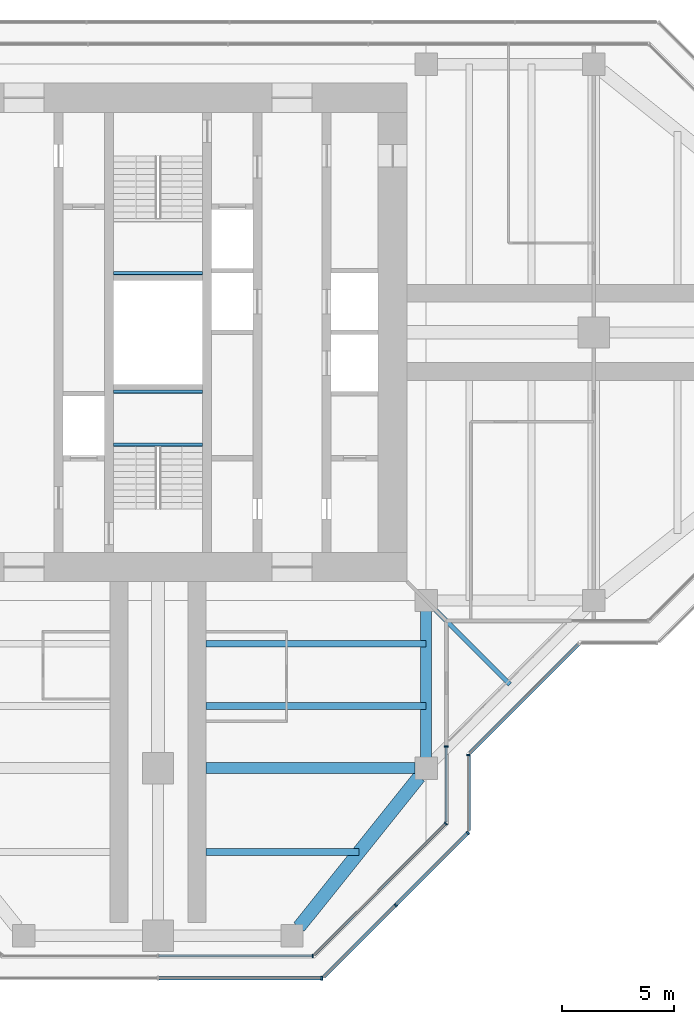
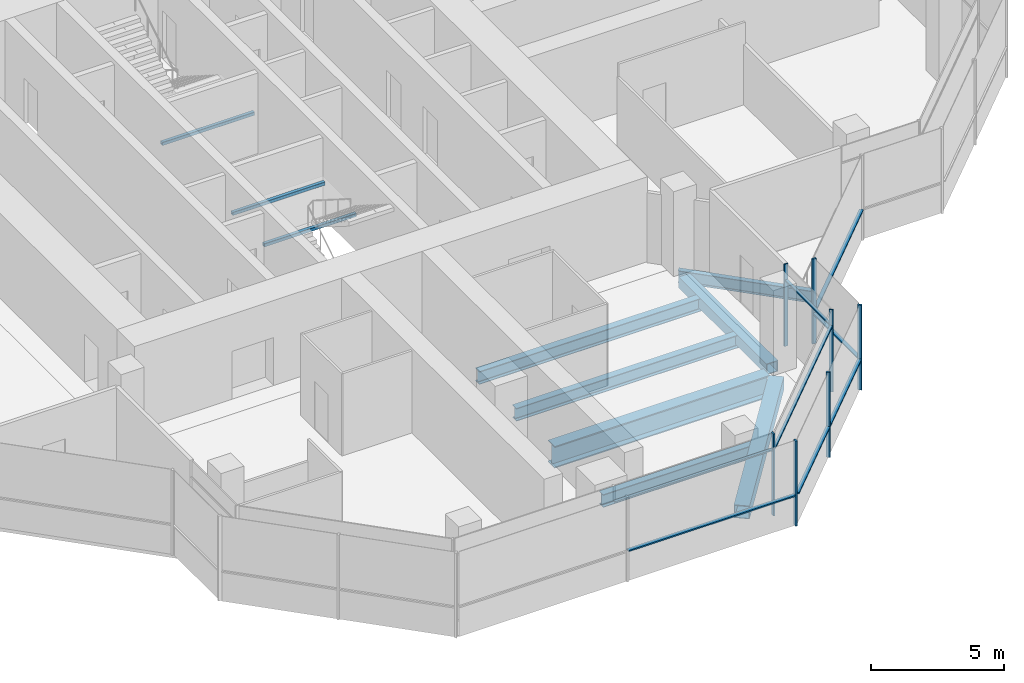
# One storey, part 4 of 15: 15 members, 10 beams, 7 elements without a shape of their own.
"""IFC4 building model written with IfcOpenShell, lengths in metres."""

from ifc_helpers import new_model, si_unit, direction, frame, origin, origin_2d, place, context, subcontext, project, spatial, rectangle, hollow_rectangle, i_section, extrude, material, material_profile, profile_set, type_object, element, aggregate, save


model = new_model("IFC4")

# Units and contexts
model_context = context("Model", 3, precision=1e-05, world=origin(), true_north=direction((0.0, 1.0)))
body_context = subcontext(model_context, "Body", "Model", "MODEL_VIEW")
ifc_project = project(units=[si_unit("LENGTHUNIT", "METRE"), si_unit("AREAUNIT", "SQUARE_METRE"), si_unit("VOLUMEUNIT", "CUBIC_METRE"), si_unit("PLANEANGLEUNIT", "RADIAN"), si_unit("MASSUNIT", "GRAM", prefix="KILO")], contexts=[model_context])

# Site, building, storey
site_placement = place(None, origin())
site = spatial("IfcSite", under=ifc_project, at=site_placement, CompositionType="ELEMENT")
building_placement = place(site_placement, origin())
building = spatial("IfcBuilding", under=site, at=building_placement, Name="Mizan Broadcast Tower", CompositionType="ELEMENT")
storey_placement = place(building_placement, frame((0.0, 0.0, 271.199951171875)))
storey = spatial("IfcBuildingStorey", under=building, at=storey_placement, Name="L64", CompositionType="ELEMENT", Elevation=271.199951171875)

# Beams
ifc_material_1 = material(Name="Steel S355", Category="steel")
ifc_material_profile_1 = material_profile(ifc_material_1, hollow_rectangle(XDim=0.5, YDim=0.5, WallThickness=0.030029296875, at=origin_2d()), Name="BOX 500x500x30")
ifc_profile_set_1 = profile_set([ifc_material_profile_1], Name="Steel S355")
beam_type_1 = type_object("IfcBeamType", Name="EDGE BEAM BOX 500x500x30", PredefinedType="SPANDREL", material=ifc_profile_set_1)
beam_1_placement = place(storey_placement, frame((12.0, -12.449951171875, -0.3798828125), z_axis=(0.0, -1.0, 0.0), x_axis=(1.0, 0.0, 0.0)))
element("IfcBeam", 1, at=beam_1_placement, inside=storey, type_object=beam_type_1, Name="Edge beam BOX 500x500x30 L64 south arm", PredefinedType="SPANDREL", context=body_context, shape_type="SweptSolid", body=[
    extrude(hollow_rectangle(XDim=0.5, YDim=0.5, WallThickness=0.030029296875, at=origin_2d()), origin(), (0.0, 0.0, 1.0), 6.60009765625),
])
ifc_material_2 = material(Name="Steel S355", Category="steel")
ifc_material_profile_2 = material_profile(ifc_material_2, hollow_rectangle(XDim=0.60009765625, YDim=0.60009765625, WallThickness=0.030029296875, at=origin_2d()), Name="BOX 600x600x30")
ifc_profile_set_2 = profile_set([ifc_material_profile_2], Name="Steel S355")
beam_type_2 = type_object("IfcBeamType", Name="EDGE BEAM BOX 600x600x30", PredefinedType="SPANDREL", material=ifc_profile_set_2)
beam_2_placement = place(storey_placement, frame((11.687744140625, -19.890380859375, -0.429931640625), z_axis=(-0.62470196761, -0.780863273348, 0.0), x_axis=(0.780863273348, -0.62470196761, 0.0)))
element("IfcBeam", 2, at=beam_2_placement, inside=storey, type_object=beam_type_2, Name="Edge beam BOX 600x600x30 L64 south arm", PredefinedType="SPANDREL", context=body_context, shape_type="SweptSolid", body=[
    extrude(hollow_rectangle(XDim=0.60009765625, YDim=0.60009765625, WallThickness=0.030029296875, at=origin_2d()), origin(), (0.0, 0.0, 1.0), 8.60498046875),
])
ifc_material_3 = material(Name="Steel S460", Category="steel")
ifc_material_profile_3 = material_profile(ifc_material_3, i_section(OverallWidth=0.5, OverallDepth=1.0, WebThickness=0.02490234375, FlangeThickness=0.050048828125, at=origin_2d()), Name="WPG 1000x500")
ifc_profile_set_3 = profile_set([ifc_material_profile_3], Name="Steel S460")
beam_type_3 = type_object("IfcBeamType", Name="GIRDER WPG 1000x500", PredefinedType="BEAM", material=ifc_profile_set_3)
beam_3_placement = place(storey_placement, frame((11.5, -19.5, -0.6298828125), z_axis=(-1.0, 0.0, 0.0), x_axis=(0.0, -1.0, 0.0)))
element("IfcBeam", 3, at=beam_3_placement, inside=storey, type_object=beam_type_3, Name="Girder WPG 1000x500 L64 south arm", PredefinedType="BEAM", context=body_context, shape_type="SweptSolid", body=[
    extrude(i_section(OverallWidth=0.5, OverallDepth=1.0, WebThickness=0.02490234375, FlangeThickness=0.050048828125, at=origin_2d()), origin(), (0.0, 0.0, 1.0), 9.35009765625),
])

# Curtain wall, member
ifc_material_4 = material(Name="Aluminium framed glazing", Category="aluminium")
curtain_wall_type_1 = type_object("IfcCurtainWallType", Name="INNER SKIN TOP ZONE", PredefinedType="USERDEFINED", material=ifc_material_4)
curtain_wall_1_placement = place(storey_placement, origin())
curtain_wall_1 = element("IfcCurtainWall", 4, at=curtain_wall_1_placement, inside=storey, type_object=curtain_wall_type_1, Name="Inner skin top zone L64 S end", ObjectType="INNER SKIN TOP ZONE", PredefinedType="USERDEFINED")
ifc_material_5 = material(Name="Aluminium, pale anodised", Category="aluminium")
ifc_material_profile_4 = material_profile(ifc_material_5, rectangle(XDim=0.159912109375, YDim=0.06005859375, at=origin_2d()), Name="MULLION 160x60")
ifc_profile_set_4 = profile_set([ifc_material_profile_4], Name="Aluminium, pale anodised")
member_type_1 = type_object("IfcMemberType", Name="INNER SKIN MULLION 60x160", PredefinedType="MULLION", material=ifc_profile_set_4)
member_1_placement = place(storey_placement, frame((6.928466796875, -27.89990234375, 0.0), z_axis=(0.0, 0.0, 1.0), x_axis=(0.0, 1.0, 0.0)))
member_1 = element("IfcMember", 5, at=member_1_placement, type_object=member_type_1, Name="Inner skin top zone L64 S end mullion 3", PredefinedType="MULLION", context=body_context, shape_type="SweptSolid", body=[
    extrude(rectangle(XDim=0.159912109375, YDim=0.06005859375, at=origin_2d()), origin(), (0.0, 0.0, 1.0), 3.77001953125),
])

curtain_wall_2_placement = place(storey_placement, origin())
curtain_wall_2 = element("IfcCurtainWall", 6, at=curtain_wall_2_placement, inside=storey, type_object=curtain_wall_type_1, Name="Inner skin top zone L64 S chamfer", ObjectType="INNER SKIN TOP ZONE", PredefinedType="USERDEFINED")
member_2_placement = place(storey_placement, frame((12.87890625, -21.979736328125, 0.0), z_axis=(0.0, 0.0, 1.0), x_axis=(-0.707106781187, 0.707106781187, 0.0)))
member_2 = element("IfcMember", 7, at=member_2_placement, type_object=member_type_1, Name="Inner skin top zone L64 S chamfer mullion 2", PredefinedType="MULLION", context=body_context, shape_type="SweptSolid", body=[
    extrude(rectangle(XDim=0.159912109375, YDim=0.06005859375, at=origin_2d()), origin(), (0.0, 0.0, 1.0), 3.77001953125),
])

curtain_wall_3_placement = place(storey_placement, origin())
curtain_wall_3 = element("IfcCurtainWall", 8, at=curtain_wall_3_placement, inside=storey, type_object=curtain_wall_type_1, Name="Inner skin top zone L64 S side", ObjectType="INNER SKIN TOP ZONE", PredefinedType="USERDEFINED")
member_3_placement = place(storey_placement, frame((12.89990234375, -18.530029296875, 0.0), z_axis=(0.0, 0.0, 1.0), x_axis=(-1.0, 0.0, 0.0)))
member_3 = element("IfcMember", 9, at=member_3_placement, type_object=member_type_1, Name="Inner skin top zone L64 S side mullion 2", PredefinedType="MULLION", context=body_context, shape_type="SweptSolid", body=[
    extrude(rectangle(XDim=0.159912109375, YDim=0.06005859375, at=origin_2d()), origin(), (0.0, 0.0, 1.0), 3.77001953125),
])

# Member
ifc_material_6 = material(Name="Aluminium, pale anodised", Category="aluminium")
ifc_material_profile_5 = material_profile(ifc_material_6, rectangle(XDim=0.1201171875, YDim=0.06005859375, at=origin_2d()), Name="TRANSOM 120x60")
ifc_profile_set_5 = profile_set([ifc_material_profile_5], Name="Aluminium, pale anodised")
member_type_2 = type_object("IfcMemberType", Name="INNER SKIN TRANSOM 60x120", PredefinedType="USERDEFINED", material=ifc_profile_set_5)
member_4_placement = place(storey_placement, frame((0.030029296875, -27.89990234375, 3.030029296875), z_axis=(1.0, 0.0, 0.0), x_axis=(0.0, 1.0, 0.0)))
member_4 = element("IfcMember", 10, at=member_4_placement, type_object=member_type_2, Name="Inner skin top zone L64 S end transom 2.1", ObjectType="TRANSOM", PredefinedType="USERDEFINED", context=body_context, shape_type="SweptSolid", body=[
    extrude(rectangle(XDim=0.1201171875, YDim=0.06005859375, at=origin_2d()), origin(), (0.0, 0.0, 1.0), 6.86865234375),
])

aggregate(curtain_wall_1, [member_1, member_4])

member_5_placement = place(storey_placement, frame((7.0009765625, -27.857666015625, 3.030029296875), z_axis=(0.707106781187, 0.707106781187, 0.0), x_axis=(-0.707106781187, 0.707106781187, 0.0)))
member_5 = element("IfcMember", 11, at=member_5_placement, type_object=member_type_2, Name="Inner skin top zone L64 S chamfer transom 1.1", ObjectType="TRANSOM", PredefinedType="USERDEFINED", context=body_context, shape_type="SweptSolid", body=[
    extrude(rectangle(XDim=0.1201171875, YDim=0.06005859375, at=origin_2d()), origin(), (0.0, 0.0, 1.0), 8.28271484375),
])

aggregate(curtain_wall_2, [member_2, member_5])

member_6_placement = place(storey_placement, frame((12.89990234375, -21.898681640625, 3.030029296875), z_axis=(0.0, 1.0, 0.0), x_axis=(-1.0, 0.0, 0.0)))
member_6 = element("IfcMember", 12, at=member_6_placement, type_object=member_type_2, Name="Inner skin top zone L64 S side transom 1.1", ObjectType="TRANSOM", PredefinedType="USERDEFINED", context=body_context, shape_type="SweptSolid", body=[
    extrude(rectangle(XDim=0.1201171875, YDim=0.06005859375, at=origin_2d()), origin(), (0.0, 0.0, 1.0), 3.338623046875),
])

aggregate(curtain_wall_3, [member_3, member_6])

# Beams
ifc_material_7 = material(Name="Steel S355", Category="steel")
ifc_material_profile_6 = material_profile(ifc_material_7, hollow_rectangle(XDim=0.14990234375, YDim=0.14990234375, WallThickness=0.008056640625, InnerFilletRadius=0.008056640625, OuterFilletRadius=0.011962890625, at=origin_2d()), Name="SHS 150x150x8")
ifc_profile_set_6 = profile_set([ifc_material_profile_6], Name="Steel S355")
beam_type_4 = type_object("IfcBeamType", Name="LANDING TRIMMER SHS 150x150x8", PredefinedType="BEAM", material=ifc_profile_set_6)
for number, where, z_axis, x_axis, name in (
    (13, (-2.0, -5.02490234375, 1.675048828125), (1.0, 0.0, 0.0), (0.0, 1.0, 0.0), "Stair A landing trimmer L64"),
    (14, (-2.0, -2.64990234375, 1.675048828125), (1.0, 0.0, 0.0), (0.0, 1.0, 0.0), "Stair A landing trimmer L64"),
    (15, (2.0, 2.64990234375, 1.675048828125), (-1.0, 0.0, 0.0), (0.0, -1.0, 0.0), "Stair B landing trimmer L64"),
):
    element("IfcBeam", number, at=place(storey_placement, frame(where, z_axis=z_axis, x_axis=x_axis)), inside=storey, type_object=beam_type_4, Name=name, PredefinedType="BEAM", context=body_context, shape_type="SweptSolid", body=[
        extrude(hollow_rectangle(XDim=0.14990234375, YDim=0.14990234375, WallThickness=0.008056640625, InnerFilletRadius=0.008056640625, OuterFilletRadius=0.011962890625, at=origin_2d()), origin(), (0.0, 0.0, 1.0), 4.0),
    ])

# Curtain wall, member
ifc_material_8 = material(Name="Aluminium framed glazing", Category="aluminium")
curtain_wall_type_2 = type_object("IfcCurtainWallType", Name="OUTER SKIN", PredefinedType="USERDEFINED", material=ifc_material_8)
curtain_wall_4_placement = place(storey_placement, origin())
curtain_wall_4 = element("IfcCurtainWall", 16, at=curtain_wall_4_placement, inside=storey, type_object=curtain_wall_type_2, Name="Outer skin L64 S end", ObjectType="OUTER SKIN", PredefinedType="USERDEFINED")
ifc_material_9 = material(Name="Aluminium, pale anodised", Category="aluminium")
ifc_material_profile_7 = material_profile(ifc_material_9, rectangle(XDim=0.159912109375, YDim=0.080078125, at=origin_2d()), Name="MULLION 160x80")
ifc_profile_set_7 = profile_set([ifc_material_profile_7], Name="Aluminium, pale anodised")
member_type_3 = type_object("IfcMemberType", Name="OUTER SKIN MULLION 80x160", PredefinedType="MULLION", material=ifc_profile_set_7)
member_7_placement = place(storey_placement, frame((7.332763671875, -28.89990234375, 0.0), z_axis=(0.0, 0.0, 1.0), x_axis=(0.0, 1.0, 0.0)))
member_7 = element("IfcMember", 17, at=member_7_placement, type_object=member_type_3, Name="Outer skin L64 S end mullion 3", PredefinedType="MULLION", context=body_context, shape_type="SweptSolid", body=[
    extrude(rectangle(XDim=0.159912109375, YDim=0.080078125, at=origin_2d()), origin(), (0.0, 0.0, 1.0), 3.900146484375),
])

# Curtain wall, members
curtain_wall_5_placement = place(storey_placement, origin())
curtain_wall_5 = element("IfcCurtainWall", 18, at=curtain_wall_5_placement, inside=storey, type_object=curtain_wall_type_2, Name="Outer skin L64 S chamfer", ObjectType="OUTER SKIN", PredefinedType="USERDEFINED")
member_8_placement = place(storey_placement, frame((10.636474609375, -25.636474609375, 0.0), z_axis=(0.0, 0.0, 1.0), x_axis=(-0.707106781187, 0.707106781187, 0.0)))
member_8 = element("IfcMember", 19, at=member_8_placement, type_object=member_type_3, Name="Outer skin L64 S chamfer mullion 2", PredefinedType="MULLION", context=body_context, shape_type="SweptSolid", body=[
    extrude(rectangle(XDim=0.159912109375, YDim=0.080078125, at=origin_2d()), origin(), (0.0, 0.0, 1.0), 3.900146484375),
])
member_9_placement = place(storey_placement, frame((13.871826171875, -22.401123046875, 0.0), z_axis=(0.0, 0.0, 1.0), x_axis=(-0.707106781187, 0.707106781187, 0.0)))
member_9 = element("IfcMember", 20, at=member_9_placement, type_object=member_type_3, Name="Outer skin L64 S chamfer mullion 3", PredefinedType="MULLION", context=body_context, shape_type="SweptSolid", body=[
    extrude(rectangle(XDim=0.159912109375, YDim=0.080078125, at=origin_2d()), origin(), (0.0, 0.0, 1.0), 3.900146484375),
])

# Curtain wall, member
curtain_wall_6_placement = place(storey_placement, origin())
curtain_wall_6 = element("IfcCurtainWall", 21, at=curtain_wall_6_placement, inside=storey, type_object=curtain_wall_type_2, Name="Outer skin L64 S side", ObjectType="OUTER SKIN", PredefinedType="USERDEFINED")
member_10_placement = place(storey_placement, frame((13.89990234375, -18.912841796875, 0.0), z_axis=(0.0, 0.0, 1.0), x_axis=(-1.0, 0.0, 0.0)))
member_10 = element("IfcMember", 22, at=member_10_placement, type_object=member_type_3, Name="Outer skin L64 S side mullion 2", PredefinedType="MULLION", context=body_context, shape_type="SweptSolid", body=[
    extrude(rectangle(XDim=0.159912109375, YDim=0.080078125, at=origin_2d()), origin(), (0.0, 0.0, 1.0), 3.900146484375),
])

# Member
ifc_material_10 = material(Name="Aluminium, pale anodised", Category="aluminium")
ifc_material_profile_8 = material_profile(ifc_material_10, rectangle(XDim=0.159912109375, YDim=0.06005859375, at=origin_2d()), Name="TRANSOM 160x60")
ifc_profile_set_8 = profile_set([ifc_material_profile_8], Name="Aluminium, pale anodised")
member_type_4 = type_object("IfcMemberType", Name="OUTER SKIN TRANSOM 60x160", PredefinedType="USERDEFINED", material=ifc_profile_set_8)
member_11_placement = place(storey_placement, frame((0.0400390625, -28.89990234375, 1.400146484375), z_axis=(1.0, 0.0, 0.0), x_axis=(0.0, 1.0, 0.0)))
member_11 = element("IfcMember", 23, at=member_11_placement, type_object=member_type_4, Name="Outer skin L64 S end transom 2.1", ObjectType="TRANSOM", PredefinedType="USERDEFINED", context=body_context, shape_type="SweptSolid", body=[
    extrude(rectangle(XDim=0.159912109375, YDim=0.06005859375, at=origin_2d()), origin(), (0.0, 0.0, 1.0), 7.252685546875),
])

aggregate(curtain_wall_4, [member_7, member_11])

member_12_placement = place(storey_placement, frame((7.429443359375, -28.843505859375, 1.400146484375), z_axis=(0.707106781187, 0.707106781187, 0.0), x_axis=(-0.707106781187, 0.707106781187, 0.0)))
member_12 = element("IfcMember", 24, at=member_12_placement, type_object=member_type_4, Name="Outer skin L64 S chamfer transom 1.1", ObjectType="TRANSOM", PredefinedType="USERDEFINED", context=body_context, shape_type="SweptSolid", body=[
    extrude(rectangle(XDim=0.159912109375, YDim=0.06005859375, at=origin_2d()), origin(), (0.0, 0.0, 1.0), 4.495361328125),
])

member_13_placement = place(storey_placement, frame((10.664794921875, -25.608154296875, 1.400146484375), z_axis=(0.707106781187, 0.707106781187, 0.0), x_axis=(-0.707106781187, 0.707106781187, 0.0)))
member_13 = element("IfcMember", 25, at=member_13_placement, type_object=member_type_4, Name="Outer skin L64 S chamfer transom 2.1", ObjectType="TRANSOM", PredefinedType="USERDEFINED", context=body_context, shape_type="SweptSolid", body=[
    extrude(rectangle(XDim=0.159912109375, YDim=0.06005859375, at=origin_2d()), origin(), (0.0, 0.0, 1.0), 4.495361328125),
])

aggregate(curtain_wall_5, [member_8, member_9, member_12, member_13])

member_14_placement = place(storey_placement, frame((13.89990234375, -22.292724609375, 1.400146484375), z_axis=(0.0, 1.0, 0.0), x_axis=(-1.0, 0.0, 0.0)))
member_14 = element("IfcMember", 26, at=member_14_placement, type_object=member_type_4, Name="Outer skin L64 S side transom 1.1", ObjectType="TRANSOM", PredefinedType="USERDEFINED", context=body_context, shape_type="SweptSolid", body=[
    extrude(rectangle(XDim=0.159912109375, YDim=0.06005859375, at=origin_2d()), origin(), (0.0, 0.0, 1.0), 3.33984375),
])

aggregate(curtain_wall_6, [member_10, member_14])

# Curtain wall, member
curtain_wall_7_placement = place(storey_placement, origin())
curtain_wall_7 = element("IfcCurtainWall", 27, at=curtain_wall_7_placement, inside=storey, type_object=curtain_wall_type_2, Name="Outer skin L64 E chamfer", ObjectType="OUTER SKIN", PredefinedType="USERDEFINED")
member_15_placement = place(storey_placement, frame((13.95654296875, -18.816162109375, 1.400146484375), z_axis=(0.707106781187, 0.707106781187, 0.0), x_axis=(-0.707106781187, 0.707106781187, 0.0)))
member_15 = element("IfcMember", 28, at=member_15_placement, type_object=member_type_4, Name="Outer skin L64 E chamfer transom 1.1", ObjectType="TRANSOM", PredefinedType="USERDEFINED", context=body_context, shape_type="SweptSolid", body=[
    extrude(rectangle(XDim=0.159912109375, YDim=0.06005859375, at=origin_2d()), origin(), (0.0, 0.0, 1.0), 6.87255859375),
])
aggregate(curtain_wall_7, [member_15])

# Beams
ifc_material_11 = material(Name="Steel S355", Category="steel")
ifc_material_profile_9 = material_profile(ifc_material_11, i_section(OverallWidth=0.300048828125, OverallDepth=0.590087890625, WebThickness=0.012939453125, FlangeThickness=0.02490234375, FilletRadius=0.027099609375, at=origin_2d()), Name="HEA 600")
ifc_profile_set_9 = profile_set([ifc_material_profile_9], Name="Steel S355")
beam_type_5 = type_object("IfcBeamType", Name="SECONDARY BEAM HEA 600", PredefinedType="JOIST", material=ifc_profile_set_9)
for number, where, z_axis, x_axis, name in (
    (29, (12.0, -13.933349609375, -0.425048828125), (-1.0, 0.0, 0.0), (0.0, -1.0, 0.0), "Secondary beam HEA 600 L64 south arm"),
    (30, (12.0, -16.716552734375, -0.425048828125), (-1.0, 0.0, 0.0), (0.0, -1.0, 0.0), "Secondary beam HEA 600 L64 south arm"),
):
    element("IfcBeam", number, at=place(storey_placement, frame(where, z_axis=z_axis, x_axis=x_axis)), inside=storey, type_object=beam_type_5, Name=name, PredefinedType="JOIST", context=body_context, shape_type="SweptSolid", body=[
        extrude(i_section(OverallWidth=0.300048828125, OverallDepth=0.590087890625, WebThickness=0.012939453125, FlangeThickness=0.02490234375, FilletRadius=0.027099609375, at=origin_2d()), origin(), (0.0, 0.0, 1.0), 9.85009765625),
    ])
beam_4_placement = place(storey_placement, frame((9.0, -23.25, -0.425048828125), z_axis=(-1.0, 0.0, 0.0), x_axis=(0.0, -1.0, 0.0)))
element("IfcBeam", 31, at=beam_4_placement, inside=storey, type_object=beam_type_5, Name="Secondary beam HEA 600 L64 south arm", PredefinedType="JOIST", context=body_context, shape_type="SweptSolid", body=[
    extrude(i_section(OverallWidth=0.300048828125, OverallDepth=0.590087890625, WebThickness=0.012939453125, FlangeThickness=0.02490234375, FilletRadius=0.027099609375, at=origin_2d()), origin(), (0.0, 0.0, 1.0), 6.85009765625),
])
ifc_material_12 = material(Name="Steel S355", Category="steel")
ifc_material_profile_10 = material_profile(ifc_material_12, i_section(OverallWidth=0.2099609375, OverallDepth=0.550048828125, WebThickness=0.010986328125, FlangeThickness=0.01708984375, FilletRadius=0.02392578125, at=origin_2d()), Name="IPE 550")
ifc_profile_set_10 = profile_set([ifc_material_profile_10], Name="Steel S355")
beam_type_6 = type_object("IfcBeamType", Name="SECONDARY BEAM IPE 550", PredefinedType="JOIST", material=ifc_profile_set_10)
beam_5_placement = place(storey_placement, frame((12.0, -12.0, -0.405029296875), z_axis=(0.707106781187, -0.707106781187, 0.0), x_axis=(0.707106781187, 0.707106781187, 0.0)))
element("IfcBeam", 32, at=beam_5_placement, inside=storey, type_object=beam_type_6, Name="Winter garden beam L64 S", PredefinedType="JOIST", context=body_context, shape_type="SweptSolid", body=[
    extrude(i_section(OverallWidth=0.2099609375, OverallDepth=0.550048828125, WebThickness=0.010986328125, FlangeThickness=0.01708984375, FilletRadius=0.02392578125, at=origin_2d()), origin(), (0.0, 0.0, 1.0), 5.30322265625),
])

save(model, "model.ifc")
